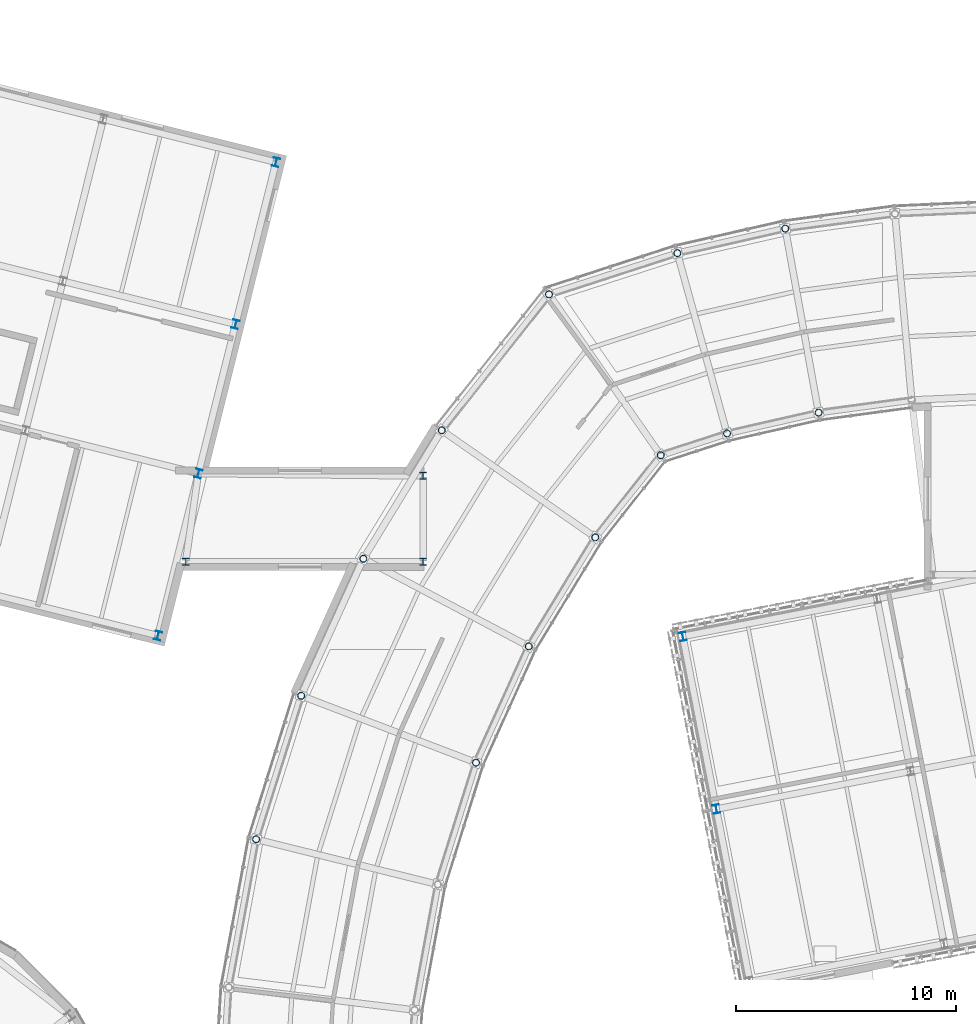
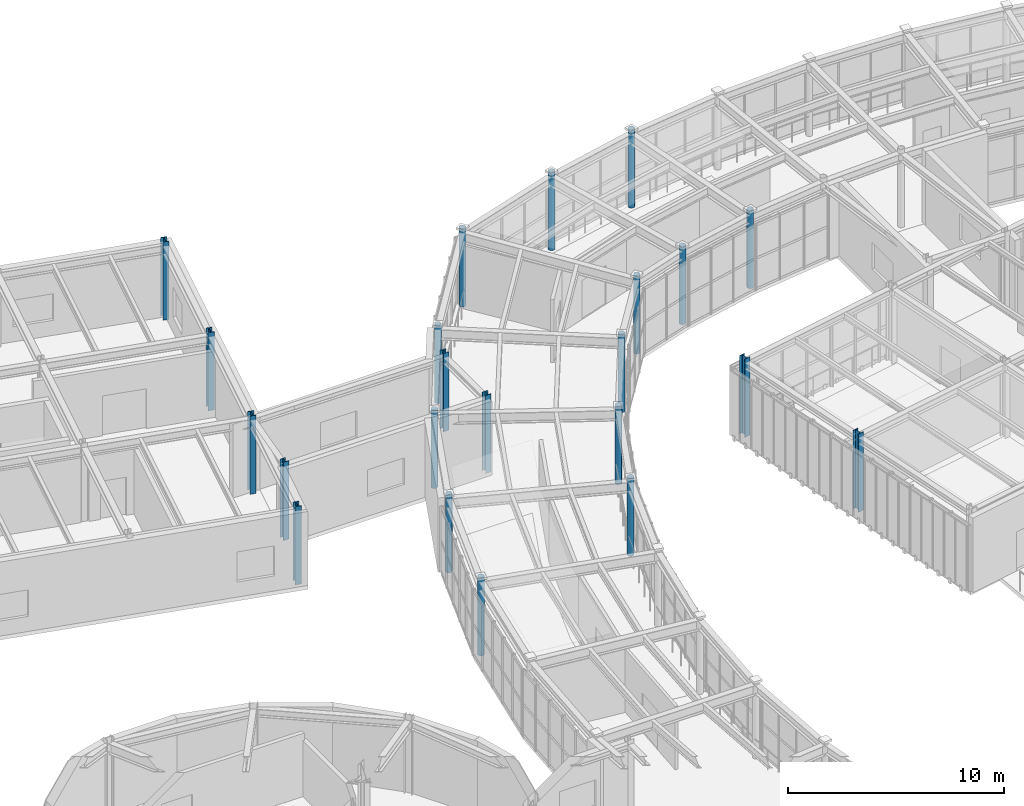
# One storey, part 10 of 103: 22 columns.
"""IFC4 building model written with IfcOpenShell, lengths in metres."""

from ifc_helpers import new_model, si_unit, direction, frame, origin, origin_2d, place, context, subcontext, project, spatial, hollow_circle, i_section, extrude, material, material_profile, profile_set, type_object, element, save


model = new_model("IFC4")

# Units and contexts
model_context = context("Model", 3, precision=1e-05, world=origin(), true_north=direction((0.0, 1.0)))
body_context = subcontext(model_context, "Body", "Model", "MODEL_VIEW")
ifc_project = project(units=[si_unit("LENGTHUNIT", "METRE"), si_unit("AREAUNIT", "SQUARE_METRE"), si_unit("VOLUMEUNIT", "CUBIC_METRE"), si_unit("PLANEANGLEUNIT", "RADIAN"), si_unit("MASSUNIT", "GRAM", prefix="KILO")], contexts=[model_context])

# Site, building, storey
site_placement = place(None, origin())
site = spatial("IfcSite", under=ifc_project, at=site_placement, CompositionType="ELEMENT")
building_placement = place(site_placement, origin())
building = spatial("IfcBuilding", under=site, at=building_placement, Name="Varnklinge Art Gallery", CompositionType="ELEMENT")
storey_placement = place(building_placement, frame((0.0, 0.0, 5.10009765625)))
storey = spatial("IfcBuildingStorey", under=building, at=storey_placement, Name="L01", CompositionType="ELEMENT", Elevation=5.10009765625)

# Columns
ifc_material_1 = material(Name="Steel S355", Category="steel")
ifc_material_profile_1 = material_profile(ifc_material_1, i_section(OverallWidth=0.300048828125, OverallDepth=0.320068359375, WebThickness=0.011474609375, FlangeThickness=0.0205078125, FilletRadius=0.027099609375, at=origin_2d()), Name="HEB 320")
ifc_profile_set_1 = profile_set([ifc_material_profile_1], Name="Steel S355")
column_type_1 = type_object("IfcColumnType", Name="COL-09", PredefinedType="COLUMN", material=ifc_profile_set_1)
for number, where, z_axis, x_axis, name in (
    (1, (38.199951171875, 81.199951171875, 0.0), (0.0, 0.0, 1.0), (1.0, 0.0, 0.0), "L01 Column LNK-V5-C1"),
    (2, (49.0, 81.199951171875, 0.0), (0.0, 0.0, 1.0), (1.0, 0.0, 0.0), "L01 Column LNK-V5-C2"),
    (3, (49.0, 85.10009765625, 0.0), (0.0, 0.0, 1.0), (1.0, 0.0, 0.0), "L01 Column LNK-V5-C3"),
):
    element("IfcColumn", number, at=place(storey_placement, frame(where, z_axis=z_axis, x_axis=x_axis)), inside=storey, type_object=column_type_1, Name=name, PredefinedType="COLUMN", context=body_context, shape_type="SweptSolid", body=[
        extrude(i_section(OverallWidth=0.300048828125, OverallDepth=0.320068359375, WebThickness=0.011474609375, FlangeThickness=0.0205078125, FilletRadius=0.027099609375, at=origin_2d()), origin(), (0.0, 0.0, 1.0), 4.419921875),
    ])
ifc_material_2 = material(Name="Steel S355", Category="steel")
ifc_material_profile_2 = material_profile(ifc_material_2, i_section(OverallWidth=0.300048828125, OverallDepth=0.39990234375, WebThickness=0.013427734375, FlangeThickness=0.02392578125, FilletRadius=0.027099609375, at=origin_2d()), Name="HEB 400")
ifc_profile_set_2 = profile_set([ifc_material_profile_2], Name="Steel S355")
column_type_2 = type_object("IfcColumnType", Name="COL-E3", PredefinedType="COLUMN", material=ifc_profile_set_2)
for number, where, z_axis, x_axis, name in (
    (4, (62.34619140625, 69.943115234375, 0.0), (0.0, 0.0, 1.0), (0.981627183448, 0.190808995377, 0.0), "L01 Column V4BC-1-2"),
    (5, (60.819580078125, 77.796142578125, 0.0), (0.0, 0.0, 1.0), (0.981627183448, 0.190808995377, 0.0), "L01 Column V4BC-1-3"),
    (6, (36.936279296875, 77.834716796875, 0.0), (0.0, 0.0, 1.0), (0.970295726276, -0.2419218956, 0.0), "L01 Column V5C-5-1"),
    (7, (38.77490234375, 85.208984375, 0.0), (0.0, 0.0, 1.0), (0.970295726276, -0.2419218956, 0.0), "L01 Column V5C-5-2"),
    (8, (40.468505859375, 92.001220703125, 0.0), (0.0, 0.0, 1.0), (0.970295726276, -0.2419218956, 0.0), "L01 Column V5C-5-3"),
    (9, (42.30712890625, 99.375244140625, 0.0), (0.0, 0.0, 1.0), (0.970295726276, -0.2419218956, 0.0), "L01 Column V5C-5-4"),
):
    element("IfcColumn", number, at=place(storey_placement, frame(where, z_axis=z_axis, x_axis=x_axis)), inside=storey, type_object=column_type_2, Name=name, PredefinedType="COLUMN", context=body_context, shape_type="SweptSolid", body=[
        extrude(i_section(OverallWidth=0.300048828125, OverallDepth=0.39990234375, WebThickness=0.013427734375, FlangeThickness=0.02392578125, FilletRadius=0.027099609375, at=origin_2d()), origin(), (0.0, 0.0, 1.0), 4.419921875),
    ])
ifc_material_3 = material(Name="Steel S355", Category="steel")
ifc_material_profile_3 = material_profile(ifc_material_3, hollow_circle(Radius=0.161865234375, WallThickness=0.01611328125, at=origin_2d()), Name="CHS 323.9x16")
ifc_profile_set_3 = profile_set([ifc_material_profile_3], Name="Steel S355")
column_type_3 = type_object("IfcColumnType", Name="COL-E6", PredefinedType="COLUMN", material=ifc_profile_set_3)
for number, where, z_axis, x_axis, name in (
    (10, (65.479736328125, 96.35498046875, 0.0), (0.0, 0.0, 1.0), (0.178115290264, -0.984009625651, 0.0), "L01 Column V2CO-19"),
    (11, (66.99560546875, 87.981689453125, 0.0), (0.0, 0.0, 1.0), (0.178115290264, -0.984009625651, 0.0), "L01 Column V2CI-19"),
    (12, (60.5703125, 95.2373046875, 0.0), (0.0, 0.0, 1.0), (0.265387847052, -0.964141737836, 0.0), "L01 Column V2CO-20"),
    (13, (62.82861328125, 87.033203125, 0.0), (0.0, 0.0, 1.0), (0.265387847052, -0.964141737836, 0.0), "L01 Column V2CI-20"),
    (14, (54.72900390625, 93.35986328125, 0.0), (0.0, 0.0, 1.0), (0.570570241419, -0.821248804935, 0.0), "L01 Column V2CO-21"),
    (15, (59.814208984375, 86.041015625, 0.0), (0.0, 0.0, 1.0), (0.570570241419, -0.821248804935, 0.0), "L01 Column V2CI-21"),
    (16, (49.85009765625, 87.1748046875, 0.0), (0.0, 0.0, 1.0), (0.820351542489, -0.571859551582, 0.0), "L01 Column V2CO-22"),
    (17, (56.8369140625, 82.3037109375, 0.0), (0.0, 0.0, 1.0), (0.820351542489, -0.571859551582, 0.0), "L01 Column V2CI-22"),
    (18, (46.28369140625, 81.3310546875, 0.0), (0.0, 0.0, 1.0), (0.883683947469, -0.468084053333, 0.0), "L01 Column V2CO-23"),
    (19, (53.810302734375, 77.344482421875, 0.0), (0.0, 0.0, 1.0), (0.883683947469, -0.468084053333, 0.0), "L01 Column V2CI-23"),
    (20, (43.45361328125, 75.09716796875, 0.0), (0.0, 0.0, 1.0), (0.934017558691, -0.357227098715, 0.0), "L01 Column V2CO-24"),
    (21, (51.40869140625, 72.0546875, 0.0), (0.0, 0.0, 1.0), (0.934017558691, -0.357227098715, 0.0), "L01 Column V2CI-24"),
    (22, (41.401611328125, 68.56591796875, 0.0), (0.0, 0.0, 1.0), (0.970506473469, -0.241075060833, 0.0), "L01 Column V2CO-25"),
):
    element("IfcColumn", number, at=place(storey_placement, frame(where, z_axis=z_axis, x_axis=x_axis)), inside=storey, type_object=column_type_3, Name=name, PredefinedType="COLUMN", context=body_context, shape_type="SweptSolid", body=[
        extrude(hollow_circle(Radius=0.161865234375, WallThickness=0.01611328125, at=origin_2d()), origin(), (0.0, 0.0, 1.0), 4.419921875),
    ])

save(model, "model.ifc")
